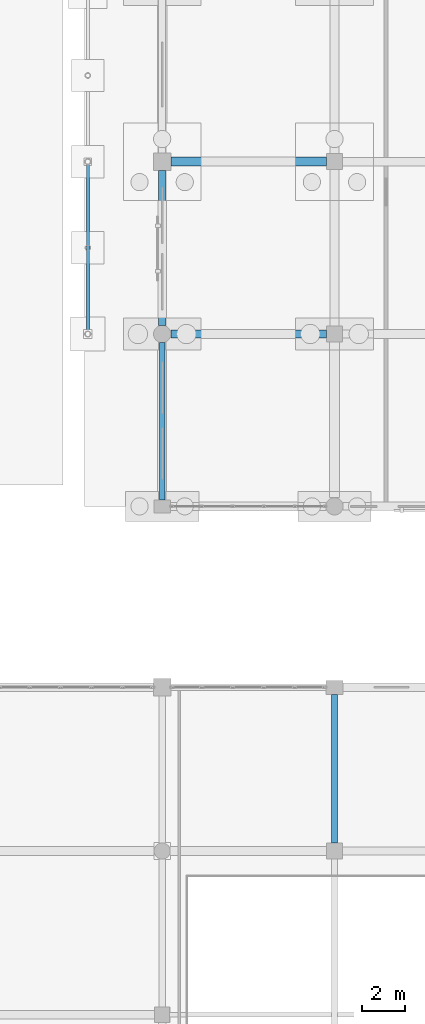
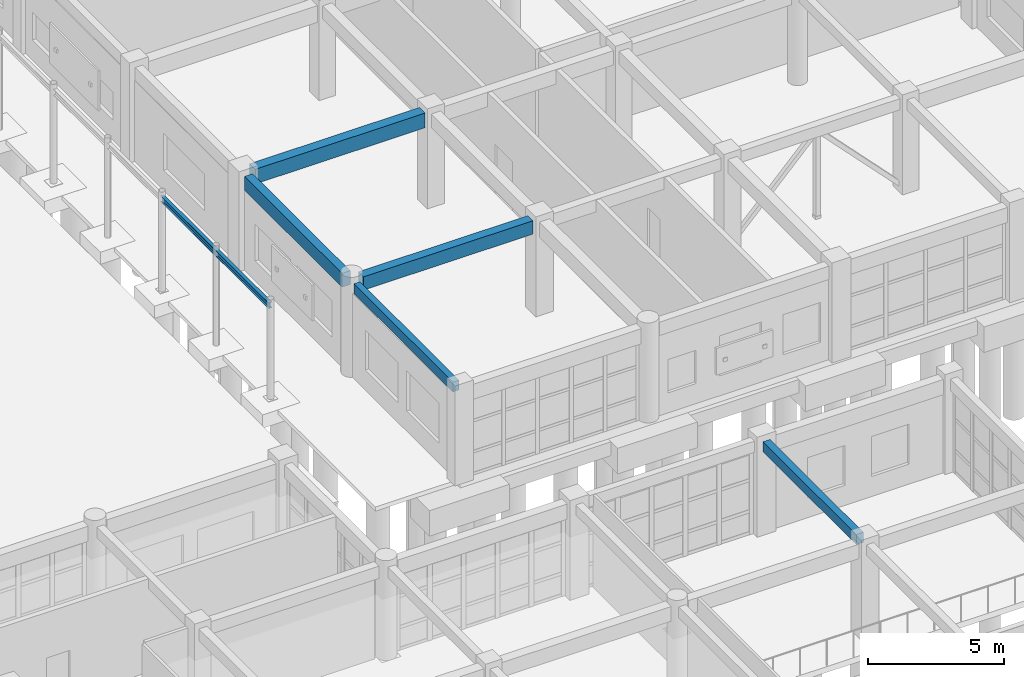
# One storey, part 87 of 166: 6 beams.
"""IFC4 building model written with IfcOpenShell, lengths in metres."""

from ifc_helpers import new_model, si_unit, direction, frame, origin, origin_2d, place, context, subcontext, project, spatial, rectangle, i_section, extrude, material, material_profile, profile_set, type_object, element, save


model = new_model("IFC4")

# Units and contexts
model_context = context("Model", 3, precision=1e-05, world=origin(), true_north=direction((0.0, 1.0)))
body_context = subcontext(model_context, "Body", "Model", "MODEL_VIEW")
ifc_project = project(units=[si_unit("LENGTHUNIT", "METRE"), si_unit("AREAUNIT", "SQUARE_METRE"), si_unit("VOLUMEUNIT", "CUBIC_METRE"), si_unit("PLANEANGLEUNIT", "RADIAN"), si_unit("MASSUNIT", "GRAM", prefix="KILO")], contexts=[model_context])

# Site, building, storey
site_placement = place(None, origin())
site = spatial("IfcSite", under=ifc_project, at=site_placement, CompositionType="ELEMENT")
building_placement = place(site_placement, origin())
building = spatial("IfcBuilding", under=site, at=building_placement, Name="Kharva Crest Polytechnic", CompositionType="ELEMENT")
storey_placement = place(building_placement, origin())
storey = spatial("IfcBuildingStorey", under=building, at=storey_placement, Name="L00", CompositionType="ELEMENT", Elevation=0.0)

# Beams
ifc_material_1 = material(Name="Concrete C35/45", Category="concrete")
ifc_material_profile_1 = material_profile(ifc_material_1, rectangle(XDim=0.300048828125, YDim=0.449951171875, at=origin_2d()), Name="RECT 300 X 450")
ifc_profile_set_1 = profile_set([ifc_material_profile_1], Name="Concrete C35/45")
beam_type_1 = type_object("IfcBeamType", Name="BM-RC-300X450", PredefinedType="BEAM", material=ifc_profile_set_1)
beam_1_placement = place(storey_placement, frame((160.800048828125, 23.179931640625, 3.9951171875), z_axis=(0.0, 1.0, 0.0), x_axis=(-1.0, 0.0, 0.0)))
element("IfcBeam", 1, at=beam_1_placement, inside=storey, type_object=beam_type_1, Name="L00 Girder 21/D-E", PredefinedType="BEAM", context=body_context, shape_type="SweptSolid", body=[
    extrude(rectangle(XDim=0.300048828125, YDim=0.449951171875, at=origin_2d()), origin(), (0.0, 0.0, 1.0), 6.89501953125),
])
ifc_material_profile_2 = material_profile(ifc_material_1, rectangle(XDim=0.3798828125, YDim=0.60009765625, at=origin_2d()), Name="RECT 380 X 600")
ifc_profile_set_2 = profile_set([ifc_material_profile_2], Name="Concrete C35/45")
beam_type_2 = type_object("IfcBeamType", Name="BM-RC-380X600", PredefinedType="BEAM", material=ifc_profile_set_2)
beam_2_placement = place(storey_placement, frame((153.199951171875, 46.800048828125, 3.919921875), z_axis=(1.0, 0.0, 0.0), x_axis=(0.0, 1.0, 0.0)))
element("IfcBeam", 2, at=beam_2_placement, inside=storey, type_object=beam_type_2, Name="L00 Beam G/20-21", PredefinedType="BEAM", context=body_context, shape_type="SweptSolid", body=[
    extrude(rectangle(XDim=0.3798828125, YDim=0.60009765625, at=origin_2d()), origin(), (0.0, 0.0, 1.0), 7.219970703125),
])
ifc_material_profile_3 = material_profile(ifc_material_1, rectangle(XDim=0.419921875, YDim=0.659912109375, at=origin_2d()), Name="RECT 420 X 660")
ifc_profile_set_3 = profile_set([ifc_material_profile_3], Name="Concrete C35/45")
beam_type_3 = type_object("IfcBeamType", Name="BM-RC-420X660", PredefinedType="BEAM", material=ifc_profile_set_3)
beam_3_placement = place(storey_placement, frame((153.199951171875, 54.800048828125, 3.889892578125), z_axis=(1.0, 0.0, 0.0), x_axis=(0.0, 1.0, 0.0)))
element("IfcBeam", 3, at=beam_3_placement, inside=storey, type_object=beam_type_3, Name="L00 Beam H/20-21", PredefinedType="BEAM", context=body_context, shape_type="SweptSolid", body=[
    extrude(rectangle(XDim=0.419921875, YDim=0.659912109375, at=origin_2d()), origin(), (0.0, 0.0, 1.0), 7.22998046875),
])
ifc_material_2 = material(Name="Steel S355", Category="steel")
ifc_material_profile_4 = material_profile(ifc_material_2, i_section(OverallWidth=0.14599609375, OverallDepth=0.258056640625, WebThickness=0.006103515625, FlangeThickness=0.009033203125, at=origin_2d()), Name="W250X32.7")
ifc_profile_set_4 = profile_set([ifc_material_profile_4], Name="Steel S355")
beam_type_4 = type_object("IfcBeamType", Name="BM-STL-W250X32", PredefinedType="BEAM", material=ifc_profile_set_4)
beam_4_placement = place(storey_placement, frame((149.35009765625, 46.820068359375, 4.160888671875), z_axis=(0.0, 1.0, 0.0), x_axis=(-1.0, 0.0, 0.0)))
element("IfcBeam", 4, at=beam_4_placement, inside=storey, type_object=beam_type_4, Name="L00 East Veranda Beam 1", PredefinedType="BEAM", context=body_context, shape_type="SweptSolid", body=[
    extrude(i_section(OverallWidth=0.14599609375, OverallDepth=0.258056640625, WebThickness=0.006103515625, FlangeThickness=0.009033203125, at=origin_2d()), origin(), (0.0, 0.0, 1.0), 7.9599609375),
])
ifc_material_profile_5 = material_profile(ifc_material_1, rectangle(XDim=0.260009765625, YDim=0.43994140625, at=origin_2d()), Name="RECT 260 X 440")
ifc_profile_set_5 = profile_set([ifc_material_profile_5], Name="Concrete C35/45")
beam_type_5 = type_object("IfcBeamType", Name="SP-RC-260X440", PredefinedType="SPANDREL", material=ifc_profile_set_5)
beam_5_placement = place(storey_placement, frame((152.800048828125, 39.10009765625, 4.0), z_axis=(0.0, 1.0, 0.0), x_axis=(-1.0, 0.0, 0.0)))
element("IfcBeam", 5, at=beam_5_placement, inside=storey, type_object=beam_type_5, Name="L00 Girder 20/FJ-G", PredefinedType="SPANDREL", context=body_context, shape_type="SweptSolid", body=[
    extrude(rectangle(XDim=0.260009765625, YDim=0.43994140625, at=origin_2d()), origin(), (0.0, 0.0, 1.0), 7.2998046875),
])
ifc_material_profile_6 = material_profile(ifc_material_1, rectangle(XDim=0.35009765625, YDim=0.6201171875, at=origin_2d()), Name="RECT 350 X 620")
ifc_profile_set_6 = profile_set([ifc_material_profile_6], Name="Concrete C35/45")
beam_type_6 = type_object("IfcBeamType", Name="SP-RC-350X620", PredefinedType="SPANDREL", material=ifc_profile_set_6)
beam_6_placement = place(storey_placement, frame((152.800048828125, 47.199951171875, 3.909912109375), z_axis=(0.0, 1.0, 0.0), x_axis=(-1.0, 0.0, 0.0)))
element("IfcBeam", 6, at=beam_6_placement, inside=storey, type_object=beam_type_6, Name="L00 Girder 20/G-H", PredefinedType="SPANDREL", context=body_context, shape_type="SweptSolid", body=[
    extrude(rectangle(XDim=0.35009765625, YDim=0.6201171875, at=origin_2d()), origin(), (0.0, 0.0, 1.0), 7.199951171875),
])

save(model, "model.ifc")
